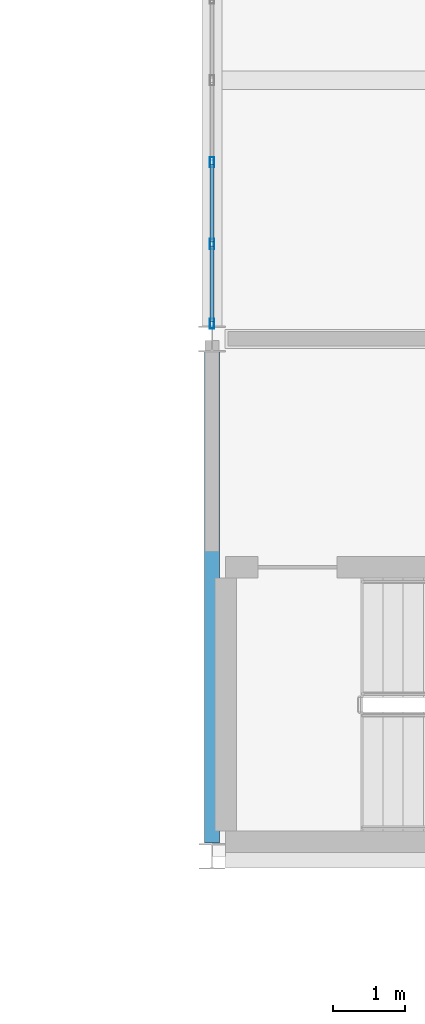
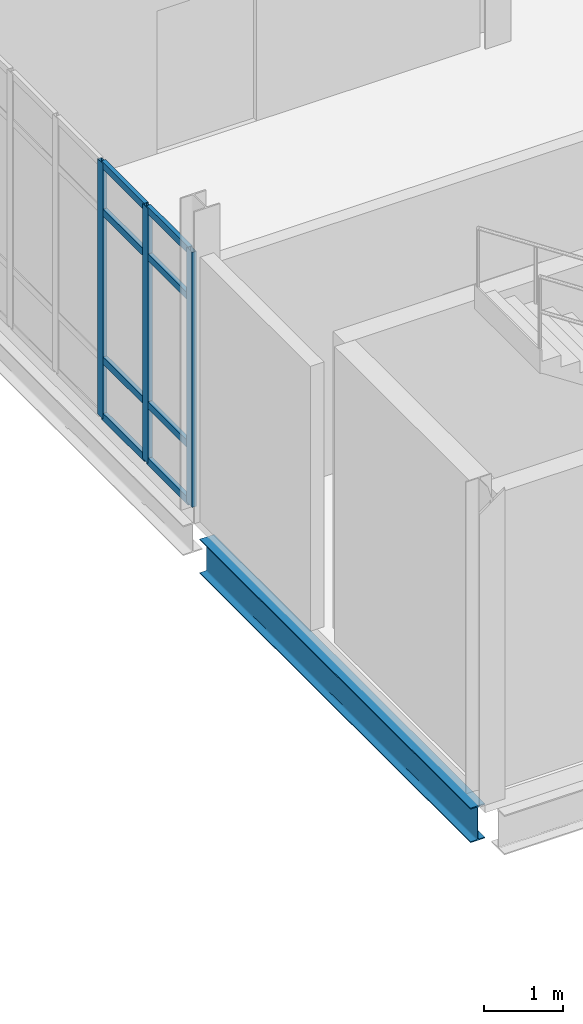
# One storey, part 74 of 153: 11 members, 1 beam, 1 element without a shape of its own.
"""IFC4 building model written with IfcOpenShell, lengths in metres."""

from ifc_helpers import new_model, si_unit, direction, frame, origin, origin_2d, place, context, subcontext, project, spatial, hollow_rectangle, i_section, extrude, material, layer, layer_set, material_profile, profile_set, type_object, element, aggregate, save


model = new_model("IFC4")

# Units and contexts
model_context = context("Model", 3, precision=1e-05, world=origin(), true_north=direction((0.0, 1.0)))
body_context = subcontext(model_context, "Body", "Model", "MODEL_VIEW")
ifc_project = project(units=[si_unit("LENGTHUNIT", "METRE"), si_unit("AREAUNIT", "SQUARE_METRE"), si_unit("VOLUMEUNIT", "CUBIC_METRE"), si_unit("PLANEANGLEUNIT", "RADIAN"), si_unit("MASSUNIT", "GRAM", prefix="KILO")], contexts=[model_context])

# Site, building, storey
site_placement = place(None, origin())
site = spatial("IfcSite", under=ifc_project, at=site_placement, CompositionType="ELEMENT")
building_placement = place(site_placement, origin())
building = spatial("IfcBuilding", under=site, at=building_placement, Name="Calvrana Isthmian Art Gallery", CompositionType="ELEMENT")
storey_placement = place(building_placement, frame((0.0, 0.0, 10.199951171875)))
storey = spatial("IfcBuildingStorey", under=building, at=storey_placement, Name="L02", CompositionType="ELEMENT", Elevation=10.199951171875)

# Beam
ifc_material_1 = material(Name="Steel ASTM A992 Gr 50", Category="steel")
ifc_material_profile_1 = material_profile(ifc_material_1, i_section(OverallWidth=0.208984375, OverallDepth=0.532958984375, WebThickness=0.01025390625, FlangeThickness=0.015625, FilletRadius=0.02099609375, at=origin_2d()), Name="W21X62")
ifc_profile_set_1 = profile_set([ifc_material_profile_1], Name="Steel ASTM A992 Gr 50")
beam_type = type_object("IfcBeamType", Name="BM-G-W21X62", PredefinedType="BEAM", material=ifc_profile_set_1)
beam_placement = place(storey_placement, frame((104.39990234375, 76.986572265625, -0.531494140625), z_axis=(0.0, 1.0, 0.0), x_axis=(-1.0, 0.0, 0.0)))
element("IfcBeam", 1, at=beam_placement, inside=storey, type_object=beam_type, Name="Girder Y L02 14/K-L", PredefinedType="BEAM", context=body_context, shape_type="SweptSolid", body=[
    extrude(i_section(OverallWidth=0.208984375, OverallDepth=0.532958984375, WebThickness=0.01025390625, FlangeThickness=0.015625, FilletRadius=0.02099609375, at=origin_2d()), origin(), (0.0, 0.0, 1.0), 6.83544921875),
])

# Curtain wall, members
ifc_material_2 = material(Name="Anodized bronze aluminium 6063-T6", Category="aluminium")
ifc_layer = layer(ifc_material_2, 0.179931640625, Name="Anodized bronze aluminium 6063-T6")
ifc_layer_set = layer_set([ifc_layer], Name="Anodized bronze aluminium 6063-T6")
curtain_wall_type = type_object("IfcCurtainWallType", Name="CW-STICK-068X39", PredefinedType="NOTDEFINED", material=ifc_layer_set)
curtain_wall_placement = place(storey_placement, origin())
curtain_wall = element("IfcCurtainWall", 2, at=curtain_wall_placement, inside=storey, type_object=curtain_wall_type, Name="Curtain wall CW-180", PredefinedType="NOTDEFINED")
ifc_material_profile_2 = material_profile(ifc_material_2, hollow_rectangle(XDim=0.06005859375, YDim=0.139892578125, WallThickness=0.00390625, at=origin_2d()), Name="CWM60X140")
ifc_profile_set_2 = profile_set([ifc_material_profile_2], Name="Anodized bronze aluminium 6063-T6")
member_type_1 = type_object("IfcMemberType", Name="CWM-CWM60X140", PredefinedType="MULLION", material=ifc_profile_set_2)
member_1_placement = place(storey_placement, frame((104.39990234375, 84.21142578125, 0.0), z_axis=(0.0, 0.0, 1.0), x_axis=(-1.0, 0.0, 0.0)))
member_1 = element("IfcMember", 3, at=member_1_placement, type_object=member_type_1, Name="CW-180 mullion 1", PredefinedType="MULLION", context=body_context, shape_type="SweptSolid", body=[
    extrude(hollow_rectangle(XDim=0.06005859375, YDim=0.139892578125, WallThickness=0.00390625, at=origin_2d()), origin(), (0.0, 0.0, 1.0), 3.927978515625),
])
member_2_placement = place(storey_placement, frame((104.39990234375, 85.320556640625, 0.0), z_axis=(0.0, 0.0, 1.0), x_axis=(-1.0, 0.0, 0.0)))
member_2 = element("IfcMember", 4, at=member_2_placement, type_object=member_type_1, Name="CW-180 mullion 2", PredefinedType="MULLION", context=body_context, shape_type="SweptSolid", body=[
    extrude(hollow_rectangle(XDim=0.06005859375, YDim=0.139892578125, WallThickness=0.00390625, at=origin_2d()), origin(), (0.0, 0.0, 1.0), 3.927978515625),
])
member_3_placement = place(storey_placement, frame((104.39990234375, 86.459716796875, 0.0), z_axis=(0.0, 0.0, 1.0), x_axis=(-1.0, 0.0, 0.0)))
member_3 = element("IfcMember", 5, at=member_3_placement, type_object=member_type_1, Name="CW-180 mullion 3", PredefinedType="MULLION", context=body_context, shape_type="SweptSolid", body=[
    extrude(hollow_rectangle(XDim=0.06005859375, YDim=0.139892578125, WallThickness=0.00390625, at=origin_2d()), origin(), (0.0, 0.0, 1.0), 3.927978515625),
])
ifc_material_profile_3 = material_profile(ifc_material_2, hollow_rectangle(XDim=0.06005859375, YDim=0.110107421875, WallThickness=0.00341796875, at=origin_2d()), Name="CWT60X110")
ifc_profile_set_3 = profile_set([ifc_material_profile_3], Name="Anodized bronze aluminium 6063-T6")
member_type_2 = type_object("IfcMemberType", Name="CWT-CWT60X110", PredefinedType="USERDEFINED", material=ifc_profile_set_3)
member_4_placement = place(storey_placement, frame((104.39990234375, 84.241455078125, 0.030029296875), z_axis=(0.0, 1.0, 0.0), x_axis=(-1.0, 0.0, 0.0)))
member_4 = element("IfcMember", 6, at=member_4_placement, type_object=member_type_2, Name="CW-180 transom 1.1", ObjectType="TRANSOM", PredefinedType="USERDEFINED", context=body_context, shape_type="SweptSolid", body=[
    extrude(hollow_rectangle(XDim=0.06005859375, YDim=0.110107421875, WallThickness=0.00341796875, at=origin_2d()), origin(), (0.0, 0.0, 1.0), 1.049072265625),
])
member_5_placement = place(storey_placement, frame((104.39990234375, 84.241455078125, 0.900146484375), z_axis=(0.0, 1.0, 0.0), x_axis=(-1.0, 0.0, 0.0)))
member_5 = element("IfcMember", 7, at=member_5_placement, type_object=member_type_2, Name="CW-180 transom 1.2", ObjectType="TRANSOM", PredefinedType="USERDEFINED", context=body_context, shape_type="SweptSolid", body=[
    extrude(hollow_rectangle(XDim=0.06005859375, YDim=0.110107421875, WallThickness=0.00341796875, at=origin_2d()), origin(), (0.0, 0.0, 1.0), 1.049072265625),
])
member_6_placement = place(storey_placement, frame((104.39990234375, 84.241455078125, 3.177978515625), z_axis=(0.0, 1.0, 0.0), x_axis=(-1.0, 0.0, 0.0)))
member_6 = element("IfcMember", 8, at=member_6_placement, type_object=member_type_2, Name="CW-180 transom 1.3", ObjectType="TRANSOM", PredefinedType="USERDEFINED", context=body_context, shape_type="SweptSolid", body=[
    extrude(hollow_rectangle(XDim=0.06005859375, YDim=0.110107421875, WallThickness=0.00341796875, at=origin_2d()), origin(), (0.0, 0.0, 1.0), 1.049072265625),
])
member_7_placement = place(storey_placement, frame((104.39990234375, 84.241455078125, 3.89794921875), z_axis=(0.0, 1.0, 0.0), x_axis=(-1.0, 0.0, 0.0)))
member_7 = element("IfcMember", 9, at=member_7_placement, type_object=member_type_2, Name="CW-180 transom 1.4", ObjectType="TRANSOM", PredefinedType="USERDEFINED", context=body_context, shape_type="SweptSolid", body=[
    extrude(hollow_rectangle(XDim=0.06005859375, YDim=0.110107421875, WallThickness=0.00341796875, at=origin_2d()), origin(), (0.0, 0.0, 1.0), 1.049072265625),
])
member_8_placement = place(storey_placement, frame((104.39990234375, 85.3505859375, 0.030029296875), z_axis=(0.0, 1.0, 0.0), x_axis=(-1.0, 0.0, 0.0)))
member_8 = element("IfcMember", 10, at=member_8_placement, type_object=member_type_2, Name="CW-180 transom 2.1", ObjectType="TRANSOM", PredefinedType="USERDEFINED", context=body_context, shape_type="SweptSolid", body=[
    extrude(hollow_rectangle(XDim=0.06005859375, YDim=0.110107421875, WallThickness=0.00341796875, at=origin_2d()), origin(), (0.0, 0.0, 1.0), 1.0791015625),
])
member_9_placement = place(storey_placement, frame((104.39990234375, 85.3505859375, 0.900146484375), z_axis=(0.0, 1.0, 0.0), x_axis=(-1.0, 0.0, 0.0)))
member_9 = element("IfcMember", 11, at=member_9_placement, type_object=member_type_2, Name="CW-180 transom 2.2", ObjectType="TRANSOM", PredefinedType="USERDEFINED", context=body_context, shape_type="SweptSolid", body=[
    extrude(hollow_rectangle(XDim=0.06005859375, YDim=0.110107421875, WallThickness=0.00341796875, at=origin_2d()), origin(), (0.0, 0.0, 1.0), 1.0791015625),
])
member_10_placement = place(storey_placement, frame((104.39990234375, 85.3505859375, 3.177978515625), z_axis=(0.0, 1.0, 0.0), x_axis=(-1.0, 0.0, 0.0)))
member_10 = element("IfcMember", 12, at=member_10_placement, type_object=member_type_2, Name="CW-180 transom 2.3", ObjectType="TRANSOM", PredefinedType="USERDEFINED", context=body_context, shape_type="SweptSolid", body=[
    extrude(hollow_rectangle(XDim=0.06005859375, YDim=0.110107421875, WallThickness=0.00341796875, at=origin_2d()), origin(), (0.0, 0.0, 1.0), 1.0791015625),
])
member_11_placement = place(storey_placement, frame((104.39990234375, 85.3505859375, 3.89794921875), z_axis=(0.0, 1.0, 0.0), x_axis=(-1.0, 0.0, 0.0)))
member_11 = element("IfcMember", 13, at=member_11_placement, type_object=member_type_2, Name="CW-180 transom 2.4", ObjectType="TRANSOM", PredefinedType="USERDEFINED", context=body_context, shape_type="SweptSolid", body=[
    extrude(hollow_rectangle(XDim=0.06005859375, YDim=0.110107421875, WallThickness=0.00341796875, at=origin_2d()), origin(), (0.0, 0.0, 1.0), 1.0791015625),
])
aggregate(curtain_wall, [member_1, member_2, member_3, member_4, member_5, member_6, member_7, member_8, member_9, member_10, member_11])

save(model, "model.ifc")
